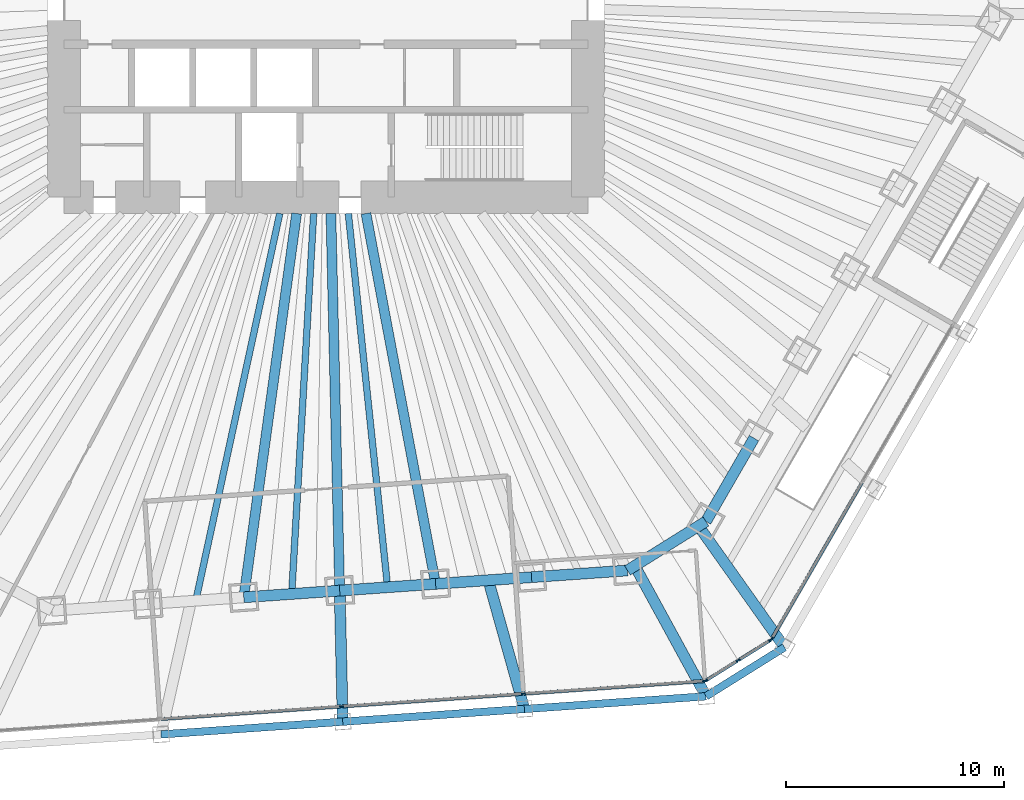
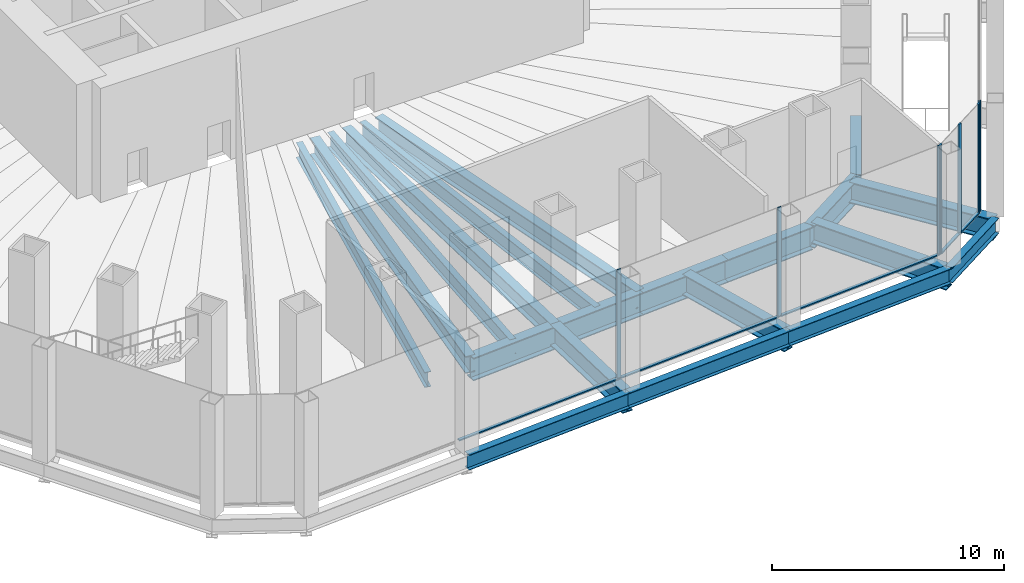
# One storey, part 7 of 23: 20 beams, 13 members, 3 elements without a shape of their own.
"""IFC4 building model written with IfcOpenShell, lengths in metres."""

from ifc_helpers import new_model, si_unit, direction, frame, origin, origin_2d, place, context, subcontext, project, spatial, rectangle, i_section, extrude, material, material_profile, profile_set, type_object, element, aggregate, save


model = new_model("IFC4")

# Units and contexts
model_context = context("Model", 3, precision=1e-05, world=origin(), true_north=direction((0.0, 1.0)))
body_context = subcontext(model_context, "Body", "Model", "MODEL_VIEW")
ifc_project = project(units=[si_unit("LENGTHUNIT", "METRE"), si_unit("AREAUNIT", "SQUARE_METRE"), si_unit("VOLUMEUNIT", "CUBIC_METRE"), si_unit("PLANEANGLEUNIT", "RADIAN"), si_unit("MASSUNIT", "GRAM", prefix="KILO")], contexts=[model_context])

# Site, building, storey
site_placement = place(None, origin())
site = spatial("IfcSite", under=ifc_project, at=site_placement, CompositionType="ELEMENT")
building_placement = place(site_placement, origin())
building = spatial("IfcBuilding", under=site, at=building_placement, Name="Qingtian Harvest Tower", CompositionType="ELEMENT")
storey_placement = place(building_placement, frame((0.0, 0.0, 6.0)))
storey = spatial("IfcBuildingStorey", under=building, at=storey_placement, Name="L01", CompositionType="ELEMENT", Elevation=6.0)

# Beams
ifc_material_1 = material(Name="Steel SM570MC", Category="steel")
ifc_material_profile_1 = material_profile(ifc_material_1, i_section(OverallWidth=0.449951171875, OverallDepth=0.89990234375, WebThickness=0.02197265625, FlangeThickness=0.044921875, at=origin_2d()), Name="H900x450x22x45")
ifc_profile_set_1 = profile_set([ifc_material_profile_1], Name="Steel SM570MC")
beam_type_1 = type_object("IfcBeamType", Name="Floor beam FB5 H900x450x22x45", PredefinedType="BEAM", material=ifc_profile_set_1)
beam_1_placement = place(storey_placement, frame((5.022705078125, -26.714599609375, -0.699951171875), z_axis=(-0.184782942099, 0.98277935688, 0.0), x_axis=(-0.98277935688, -0.184782942099, 0.0)))
element("IfcBeam", 1, at=beam_1_placement, inside=storey, type_object=beam_type_1, Name="Floor beam FB5 S2", PredefinedType="BEAM", context=body_context, shape_type="SweptSolid", body=[
    extrude(i_section(OverallWidth=0.449951171875, OverallDepth=0.89990234375, WebThickness=0.02197265625, FlangeThickness=0.044921875, at=origin_2d()), origin(), (0.0, 0.0, 1.0), 17.261962890625),
])
beam_2_placement = place(storey_placement, frame((0.62890625, -27.02197265625, -0.699951171875), z_axis=(-0.023274161941, 0.999729120005, 0.0), x_axis=(-0.999729120005, -0.023274161941, 0.0)))
element("IfcBeam", 2, at=beam_2_placement, inside=storey, type_object=beam_type_1, Name="Floor beam FB5 S3", PredefinedType="BEAM", context=body_context, shape_type="SweptSolid", body=[
    extrude(i_section(OverallWidth=0.449951171875, OverallDepth=0.89990234375, WebThickness=0.02197265625, FlangeThickness=0.044921875, at=origin_2d()), origin(), (0.0, 0.0, 1.0), 17.276611328125),
])
beam_3_placement = place(storey_placement, frame((-3.76513671875, -27.3291015625, -0.699951171875), z_axis=(0.136480966577, 0.990642693287, 0.0), x_axis=(-0.990642693287, 0.136480966577, 0.0)))
element("IfcBeam", 3, at=beam_3_placement, inside=storey, type_object=beam_type_1, Name="Floor beam FB5 S4", PredefinedType="BEAM", context=body_context, shape_type="SweptSolid", body=[
    extrude(i_section(OverallWidth=0.449951171875, OverallDepth=0.89990234375, WebThickness=0.02197265625, FlangeThickness=0.044921875, at=origin_2d()), origin(), (0.0, 0.0, 1.0), 17.7451171875),
])
ifc_material_2 = material(Name="Steel SM570MC", Category="steel")
ifc_material_profile_2 = material_profile(ifc_material_2, i_section(OverallWidth=0.5, OverallDepth=1.10009765625, WebThickness=0.02490234375, FlangeThickness=0.050048828125, at=origin_2d()), Name="H1100x500x25x50")
ifc_profile_set_2 = profile_set([ifc_material_profile_2], Name="Steel SM570MC")
beam_type_2 = type_object("IfcBeamType", Name="Floor beam FB6 H1100x500x25x50", PredefinedType="BEAM", material=ifc_profile_set_2)
for number, where, z_axis, x_axis, name in (
    (4, (21.005615234375, -29.6171875, -0.800048828125), (-0.578520766402, 0.81566765465, 0.0), (-0.81566765465, -0.578520766402, 0.0), "Podium floor beam FB6 SE4"),
    (5, (17.411376953125, -31.863037109375, -0.800048828125), (-0.479497824653, 0.877543067976, 0.0), (-0.877543067976, -0.479497824653, 0.0), "Podium floor beam FB6 S0"),
):
    element("IfcBeam", number, at=place(storey_placement, frame(where, z_axis=z_axis, x_axis=x_axis)), inside=storey, type_object=beam_type_2, Name=name, PredefinedType="BEAM", context=body_context, shape_type="SweptSolid", body=[
        extrude(i_section(OverallWidth=0.5, OverallDepth=1.10009765625, WebThickness=0.02490234375, FlangeThickness=0.050048828125, at=origin_2d()), origin(), (0.0, 0.0, 1.0), 6.806884765625),
    ])
beam_4_placement = place(storey_placement, frame((9.090087890625, -32.44482421875, -0.800048828125), z_axis=(-0.269801393406, 0.962915992242, 0.0), x_axis=(-0.962915992242, -0.269801393406, 0.0)))
element("IfcBeam", 6, at=beam_4_placement, inside=storey, type_object=beam_type_2, Name="Podium floor beam FB6 S1", PredefinedType="BEAM", context=body_context, shape_type="SweptSolid", body=[
    extrude(i_section(OverallWidth=0.5, OverallDepth=1.10009765625, WebThickness=0.02490234375, FlangeThickness=0.050048828125, at=origin_2d()), origin(), (0.0, 0.0, 1.0), 6.126220703125),
])
beam_5_placement = place(storey_placement, frame((0.7685546875, -33.02685546875, -0.800048828125), z_axis=(-0.023249527749, 0.999729693197, 0.0), x_axis=(-0.999729693197, -0.023249527749, 0.0)))
element("IfcBeam", 7, at=beam_5_placement, inside=storey, type_object=beam_type_2, Name="Podium floor beam FB6 S2", PredefinedType="BEAM", context=body_context, shape_type="SweptSolid", body=[
    extrude(i_section(OverallWidth=0.5, OverallDepth=1.10009765625, WebThickness=0.02490234375, FlangeThickness=0.050048828125, at=origin_2d()), origin(), (0.0, 0.0, 1.0), 6.006591796875),
])
ifc_material_3 = material(Name="Steel SN490B", Category="steel")
ifc_material_profile_3 = material_profile(ifc_material_3, i_section(OverallWidth=0.300048828125, OverallDepth=0.800048828125, WebThickness=0.013916015625, FlangeThickness=0.02587890625, at=origin_2d()), Name="H800x300x14x26")
ifc_profile_set_3 = profile_set([ifc_material_profile_3], Name="Steel SN490B")
beam_type_3 = type_object("IfcBeamType", Name="Floor joist J1 H800x300x14x26", PredefinedType="JOIST", material=ifc_profile_set_3)
beam_6_placement = place(storey_placement, frame((2.82568359375, -26.868408203125, -0.64990234375), z_axis=(-0.104590278152, 0.99451539642, 0.0), x_axis=(-0.99451539642, -0.104590278152, 0.0)))
element("IfcBeam", 8, at=beam_6_placement, inside=storey, type_object=beam_type_3, Name="Floor joist J1 S2", PredefinedType="JOIST", context=body_context, shape_type="SweptSolid", body=[
    extrude(i_section(OverallWidth=0.300048828125, OverallDepth=0.800048828125, WebThickness=0.013916015625, FlangeThickness=0.02587890625, at=origin_2d()), origin(), (0.0, 0.0, 1.0), 17.212890625),
])
beam_7_placement = place(storey_placement, frame((-1.568115234375, -27.175537109375, -0.64990234375), z_axis=(0.057613424947, 0.998338967118, 0.0), x_axis=(-0.998338967118, 0.057613424947, 0.0)))
element("IfcBeam", 9, at=beam_7_placement, inside=storey, type_object=beam_type_3, Name="Floor joist J1 S3", PredefinedType="JOIST", context=body_context, shape_type="SweptSolid", body=[
    extrude(i_section(OverallWidth=0.300048828125, OverallDepth=0.800048828125, WebThickness=0.013916015625, FlangeThickness=0.02587890625, at=origin_2d()), origin(), (0.0, 0.0, 1.0), 17.45458984375),
])
beam_8_placement = place(storey_placement, frame((-5.9619140625, -27.48291015625, -0.64990234375), z_axis=(0.211992805661, 0.977271226604, 0.0), x_axis=(-0.977271226604, 0.211992805661, 0.0)))
element("IfcBeam", 10, at=beam_8_placement, inside=storey, type_object=beam_type_3, Name="Floor joist J1 S4", PredefinedType="JOIST", context=body_context, shape_type="SweptSolid", body=[
    extrude(i_section(OverallWidth=0.300048828125, OverallDepth=0.800048828125, WebThickness=0.013916015625, FlangeThickness=0.02587890625, at=origin_2d()), origin(), (0.0, 0.0, 1.0), 18.145263671875),
])

# Curtain wall, member
ifc_material_4 = material(Name="Bronze-anodised aluminium curtain wall", Category="aluminium")
curtain_wall_type = type_object("IfcCurtainWallType", Name="Curtain wall CW1 podium shopfront", PredefinedType="USERDEFINED", material=ifc_material_4)
curtain_wall_1_placement = place(storey_placement, origin())
curtain_wall_1 = element("IfcCurtainWall", 11, at=curtain_wall_1_placement, inside=storey, type_object=curtain_wall_type, Name="Curtain wall CW1 L01 SE2-3", ObjectType="RECESSED CURTAIN WALL", PredefinedType="USERDEFINED")
ifc_material_5 = material(Name="Bronze-anodised aluminium mullion", Category="aluminium")
ifc_material_profile_4 = material_profile(ifc_material_5, rectangle(XDim=0.06494140625, YDim=0.199951171875, at=origin_2d()), Name="AL 65x200")
ifc_profile_set_4 = profile_set([ifc_material_profile_4], Name="Bronze-anodised aluminium mullion")
member_type_1 = type_object("IfcMemberType", Name="Mullion CWM 65x200", PredefinedType="MULLION", material=ifc_profile_set_4)
member_1_placement = place(storey_placement, frame((20.415771484375, -29.239013671875, 0.0), z_axis=(0.0, 0.0, 1.0), x_axis=(0.866025403784, -0.5, 0.0)))
member_1 = element("IfcMember", 12, at=member_1_placement, type_object=member_type_1, Name="CW1 mullion 3", PredefinedType="MULLION", context=body_context, shape_type="SweptSolid", body=[
    extrude(rectangle(XDim=0.06494140625, YDim=0.199951171875, at=origin_2d()), origin(), (0.0, 0.0, 1.0), 5.75),
])

# Curtain wall, members
curtain_wall_2_placement = place(storey_placement, origin())
curtain_wall_2 = element("IfcCurtainWall", 13, at=curtain_wall_2_placement, inside=storey, type_object=curtain_wall_type, Name="Curtain wall CW1 L01 SEC", ObjectType="RECESSED CURTAIN WALL", PredefinedType="USERDEFINED")
member_2_placement = place(storey_placement, frame((20.371826171875, -29.284423828125, 0.0), z_axis=(0.0, 0.0, 1.0), x_axis=(0.529919264233, -0.848048096156, 0.0)))
member_2 = element("IfcMember", 14, at=member_2_placement, type_object=member_type_1, Name="CW1 mullion 1", PredefinedType="MULLION", context=body_context, shape_type="SweptSolid", body=[
    extrude(rectangle(XDim=0.06494140625, YDim=0.199951171875, at=origin_2d()), origin(), (0.0, 0.0, 1.0), 5.75),
])
member_3_placement = place(storey_placement, frame((18.881103515625, -30.216064453125, 0.0), z_axis=(0.0, 0.0, 1.0), x_axis=(0.529919264233, -0.848048096156, 0.0)))
member_3 = element("IfcMember", 15, at=member_3_placement, type_object=member_type_1, Name="CW1 mullion 2", PredefinedType="MULLION", context=body_context, shape_type="SweptSolid", body=[
    extrude(rectangle(XDim=0.06494140625, YDim=0.199951171875, at=origin_2d()), origin(), (0.0, 0.0, 1.0), 5.75),
])
member_4_placement = place(storey_placement, frame((17.39013671875, -31.1474609375, 0.0), z_axis=(0.0, 0.0, 1.0), x_axis=(0.529919264233, -0.848048096156, 0.0)))
member_4 = element("IfcMember", 16, at=member_4_placement, type_object=member_type_1, Name="CW1 mullion 3", PredefinedType="MULLION", context=body_context, shape_type="SweptSolid", body=[
    extrude(rectangle(XDim=0.06494140625, YDim=0.199951171875, at=origin_2d()), origin(), (0.0, 0.0, 1.0), 5.75),
])

curtain_wall_3_placement = place(storey_placement, origin())
curtain_wall_3 = element("IfcCurtainWall", 17, at=curtain_wall_3_placement, inside=storey, type_object=curtain_wall_type, Name="Curtain wall CW1 L01 S0-3", ObjectType="RECESSED CURTAIN WALL", PredefinedType="USERDEFINED")
member_5_placement = place(storey_placement, frame((17.330322265625, -31.1669921875, 0.0), z_axis=(0.0, 0.0, 1.0), x_axis=(0.069756473744, -0.99756405026, 0.0)))
member_5 = element("IfcMember", 18, at=member_5_placement, type_object=member_type_1, Name="CW1 mullion 1", PredefinedType="MULLION", context=body_context, shape_type="SweptSolid", body=[
    extrude(rectangle(XDim=0.06494140625, YDim=0.199951171875, at=origin_2d()), origin(), (0.0, 0.0, 1.0), 5.75),
])
member_6_placement = place(storey_placement, frame((9.041259765625, -31.74658203125, 0.0), z_axis=(0.0, 0.0, 1.0), x_axis=(0.069756473744, -0.99756405026, 0.0)))
member_6 = element("IfcMember", 19, at=member_6_placement, type_object=member_type_1, Name="CW1 mullion 2", PredefinedType="MULLION", context=body_context, shape_type="SweptSolid", body=[
    extrude(rectangle(XDim=0.06494140625, YDim=0.199951171875, at=origin_2d()), origin(), (0.0, 0.0, 1.0), 5.75),
])
member_7_placement = place(storey_placement, frame((0.7197265625, -32.32861328125, 0.0), z_axis=(0.0, 0.0, 1.0), x_axis=(0.069756473744, -0.99756405026, 0.0)))
member_7 = element("IfcMember", 20, at=member_7_placement, type_object=member_type_1, Name="CW1 mullion 3", PredefinedType="MULLION", context=body_context, shape_type="SweptSolid", body=[
    extrude(rectangle(XDim=0.06494140625, YDim=0.199951171875, at=origin_2d()), origin(), (0.0, 0.0, 1.0), 5.75),
])

# Beams
ifc_material_6 = material(Name="Steel SN490B", Category="steel")
ifc_material_profile_5 = material_profile(ifc_material_6, i_section(OverallWidth=0.35009765625, OverallDepth=0.800048828125, WebThickness=0.01611328125, FlangeThickness=0.028076171875, at=origin_2d()), Name="H800x350x16x28")
ifc_profile_set_5 = profile_set([ifc_material_profile_5], Name="Steel SN490B")
beam_type_4 = type_object("IfcBeamType", Name="Podium beam PB1 H800x350x16x28", PredefinedType="BEAM", material=ifc_profile_set_5)
beam_9_placement = place(storey_placement, frame((21.005615234375, -29.6171875, -0.64990234375), z_axis=(-0.848056550838, -0.529905733675, 0.0), x_axis=(0.529905733675, -0.848056550838, 0.0)))
element("IfcBeam", 21, at=beam_9_placement, inside=storey, type_object=beam_type_4, Name="Podium edge beam PB1 SE4", PredefinedType="BEAM", context=body_context, shape_type="SweptSolid", body=[
    extrude(i_section(OverallWidth=0.35009765625, OverallDepth=0.800048828125, WebThickness=0.01611328125, FlangeThickness=0.028076171875, at=origin_2d()), origin(), (0.0, 0.0, 1.0), 4.23828125),
])
beam_10_placement = place(storey_placement, frame((17.411376953125, -31.863037109375, -0.64990234375), z_axis=(-0.997564835239, -0.069745247106, 0.0), x_axis=(0.069745247106, -0.997564835239, 0.0)))
element("IfcBeam", 22, at=beam_10_placement, inside=storey, type_object=beam_type_4, Name="Podium edge beam PB1 S0", PredefinedType="BEAM", context=body_context, shape_type="SweptSolid", body=[
    extrude(i_section(OverallWidth=0.35009765625, OverallDepth=0.800048828125, WebThickness=0.01611328125, FlangeThickness=0.028076171875, at=origin_2d()), origin(), (0.0, 0.0, 1.0), 8.341552734375),
])
for number, where, z_axis, x_axis, name in (
    (23, (9.090087890625, -32.44482421875, -0.64990234375), (-0.99756294098, -0.069772335376, 0.0), (0.069772335376, -0.99756294098, 0.0), "Podium edge beam PB1 S1"),
    (24, (0.7685546875, -33.02685546875, -0.64990234375), (-0.997564977604, -0.069743210844, 0.0), (0.069743210844, -0.997564977604, 0.0), "Podium edge beam PB1 S2"),
):
    element("IfcBeam", number, at=place(storey_placement, frame(where, z_axis=z_axis, x_axis=x_axis)), inside=storey, type_object=beam_type_4, Name=name, PredefinedType="BEAM", context=body_context, shape_type="SweptSolid", body=[
        extrude(i_section(OverallWidth=0.35009765625, OverallDepth=0.800048828125, WebThickness=0.01611328125, FlangeThickness=0.028076171875, at=origin_2d()), origin(), (0.0, 0.0, 1.0), 8.341796875),
    ])
ifc_material_7 = material(Name="Steel SM570MC", Category="steel")
ifc_material_profile_6 = material_profile(ifc_material_7, i_section(OverallWidth=0.5, OverallDepth=1.199951171875, WebThickness=0.02490234375, FlangeThickness=0.050048828125, at=origin_2d()), Name="H1200x500x25x50")
ifc_profile_set_6 = profile_set([ifc_material_profile_6], Name="Steel SM570MC")
beam_type_5 = type_object("IfcBeamType", Name="Spandrel beam SB1 H1200x500x25x50", PredefinedType="SPANDREL", material=ifc_profile_set_6)
beam_11_placement = place(storey_placement, frame((19.60693359375, -20.039794921875, -0.85009765625), z_axis=(-0.50001992892, -0.866013897511, 0.0), x_axis=(0.866013897511, -0.50001992892, 0.0)))
element("IfcBeam", 25, at=beam_11_placement, inside=storey, type_object=beam_type_5, Name="Spandrel SB1 SE5", PredefinedType="SPANDREL", context=body_context, shape_type="SweptSolid", body=[
    extrude(i_section(OverallWidth=0.5, OverallDepth=1.199951171875, WebThickness=0.02490234375, FlangeThickness=0.050048828125, at=origin_2d()), origin(), (0.0, 0.0, 1.0), 4.404541015625),
])
beam_12_placement = place(storey_placement, frame((17.404541015625, -23.854248046875, -0.85009765625), z_axis=(-0.848040374245, -0.529931621675, 0.0), x_axis=(0.529931621675, -0.848040374245, 0.0)))
element("IfcBeam", 26, at=beam_12_placement, inside=storey, type_object=beam_type_5, Name="Spandrel SB1 SEC", PredefinedType="SPANDREL", context=body_context, shape_type="SweptSolid", body=[
    extrude(i_section(OverallWidth=0.5, OverallDepth=1.199951171875, WebThickness=0.02490234375, FlangeThickness=0.050048828125, at=origin_2d()), origin(), (0.0, 0.0, 1.0), 4.238037109375),
])
beam_13_placement = place(storey_placement, frame((13.810546875, -26.10009765625, -0.85009765625), z_axis=(-0.997562286406, -0.069781693443, 0.0), x_axis=(0.069781693443, -0.997562286406, 0.0)))
element("IfcBeam", 27, at=beam_13_placement, inside=storey, type_object=beam_type_5, Name="Spandrel SB1 S0", PredefinedType="SPANDREL", context=body_context, shape_type="SweptSolid", body=[
    extrude(i_section(OverallWidth=0.5, OverallDepth=1.199951171875, WebThickness=0.02490234375, FlangeThickness=0.050048828125, at=origin_2d()), origin(), (0.0, 0.0, 1.0), 4.40478515625),
])
for number, where, z_axis, x_axis, name in (
    (28, (9.41650390625, -26.407470703125, -0.85009765625), (-0.997565873714, -0.069730392239, 0.0), (0.069730392239, -0.997565873714, 0.0), "Spandrel SB1 S1"),
    (29, (5.022705078125, -26.714599609375, -0.85009765625), (-0.997562016486, -0.069785551967, 0.0), (0.069785551967, -0.997562016486, 0.0), "Spandrel SB1 S2"),
):
    element("IfcBeam", number, at=place(storey_placement, frame(where, z_axis=z_axis, x_axis=x_axis)), inside=storey, type_object=beam_type_5, Name=name, PredefinedType="SPANDREL", context=body_context, shape_type="SweptSolid", body=[
        extrude(i_section(OverallWidth=0.5, OverallDepth=1.199951171875, WebThickness=0.02490234375, FlangeThickness=0.050048828125, at=origin_2d()), origin(), (0.0, 0.0, 1.0), 4.404541015625),
    ])
beam_14_placement = place(storey_placement, frame((0.62890625, -27.02197265625, -0.85009765625), z_axis=(-0.997566143208, -0.069726536735, 0.0), x_axis=(0.069726536735, -0.997566143208, 0.0)))
element("IfcBeam", 30, at=beam_14_placement, inside=storey, type_object=beam_type_5, Name="Spandrel SB1 S3", PredefinedType="SPANDREL", context=body_context, shape_type="SweptSolid", body=[
    extrude(i_section(OverallWidth=0.5, OverallDepth=1.199951171875, WebThickness=0.02490234375, FlangeThickness=0.050048828125, at=origin_2d()), origin(), (0.0, 0.0, 1.0), 4.40478515625),
])

# Member
ifc_material_8 = material(Name="Bronze-anodised aluminium transom", Category="aluminium")
ifc_material_profile_7 = material_profile(ifc_material_8, rectangle(XDim=0.14990234375, YDim=0.06494140625, at=origin_2d()), Name="AL 65x150")
ifc_profile_set_7 = profile_set([ifc_material_profile_7], Name="Bronze-anodised aluminium transom")
member_type_2 = type_object("IfcMemberType", Name="Transom CWT 65x150", PredefinedType="USERDEFINED", material=ifc_profile_set_7)
member_8_placement = place(storey_placement, frame((24.553955078125, -22.071044921875, 0.032470703125), z_axis=(-0.499986482571, -0.866033207935, 0.0), x_axis=(0.866033207935, -0.499986482571, 0.0)))
member_8 = element("IfcMember", 31, at=member_8_placement, type_object=member_type_2, Name="CW1 transom 2.1", ObjectType="TRANSOM", PredefinedType="USERDEFINED", context=body_context, shape_type="SweptSolid", body=[
    extrude(rectangle(XDim=0.14990234375, YDim=0.06494140625, at=origin_2d()), origin(), (0.0, 0.0, 1.0), 8.244384765625),
])

aggregate(curtain_wall_1, [member_1, member_8])

member_9_placement = place(storey_placement, frame((20.34423828125, -29.301513671875, 0.032470703125), z_axis=(-0.847998304005, -0.529998940003, 0.0), x_axis=(0.529998940003, -0.847998304005, 0.0)))
member_9 = element("IfcMember", 32, at=member_9_placement, type_object=member_type_2, Name="CW1 transom 1.1", ObjectType="TRANSOM", PredefinedType="USERDEFINED", context=body_context, shape_type="SweptSolid", body=[
    extrude(rectangle(XDim=0.14990234375, YDim=0.06494140625, at=origin_2d()), origin(), (0.0, 0.0, 1.0), 1.69287109375),
])

member_10_placement = place(storey_placement, frame((18.853515625, -30.233154296875, 0.032470703125), z_axis=(-0.84803880708, -0.529934129573, 0.0), x_axis=(0.529934129573, -0.84803880708, 0.0)))
member_10 = element("IfcMember", 33, at=member_10_placement, type_object=member_type_2, Name="CW1 transom 2.1", ObjectType="TRANSOM", PredefinedType="USERDEFINED", context=body_context, shape_type="SweptSolid", body=[
    extrude(rectangle(XDim=0.14990234375, YDim=0.06494140625, at=origin_2d()), origin(), (0.0, 0.0, 1.0), 1.693115234375),
])

aggregate(curtain_wall_2, [member_2, member_3, member_4, member_9, member_10])

member_11_placement = place(storey_placement, frame((17.2978515625, -31.169189453125, 0.032470703125), z_axis=(-0.997563132308, -0.069769599825, 0.0), x_axis=(0.069769599825, -0.997563132308, 0.0)))
member_11 = element("IfcMember", 34, at=member_11_placement, type_object=member_type_2, Name="CW1 transom 1.1", ObjectType="TRANSOM", PredefinedType="USERDEFINED", context=body_context, shape_type="SweptSolid", body=[
    extrude(rectangle(XDim=0.14990234375, YDim=0.06494140625, at=origin_2d()), origin(), (0.0, 0.0, 1.0), 8.244140625),
])

member_12_placement = place(storey_placement, frame((9.0087890625, -31.7490234375, 0.032470703125), z_axis=(-0.997565804623, -0.069731380648, 0.0), x_axis=(0.069731380648, -0.997565804623, 0.0)))
member_12 = element("IfcMember", 35, at=member_12_placement, type_object=member_type_2, Name="CW1 transom 2.1", ObjectType="TRANSOM", PredefinedType="USERDEFINED", context=body_context, shape_type="SweptSolid", body=[
    extrude(rectangle(XDim=0.14990234375, YDim=0.06494140625, at=origin_2d()), origin(), (0.0, 0.0, 1.0), 8.27685546875),
])

member_13_placement = place(storey_placement, frame((0.687255859375, -32.330810546875, 0.032470703125), z_axis=(-0.997563752322, -0.069760734328, 0.0), x_axis=(0.069760734328, -0.997563752322, 0.0)))
member_13 = element("IfcMember", 36, at=member_13_placement, type_object=member_type_2, Name="CW1 transom 3.1", ObjectType="TRANSOM", PredefinedType="USERDEFINED", context=body_context, shape_type="SweptSolid", body=[
    extrude(rectangle(XDim=0.14990234375, YDim=0.06494140625, at=origin_2d()), origin(), (0.0, 0.0, 1.0), 8.27685546875),
])

aggregate(curtain_wall_3, [member_5, member_6, member_7, member_11, member_12, member_13])

save(model, "model.ifc")
